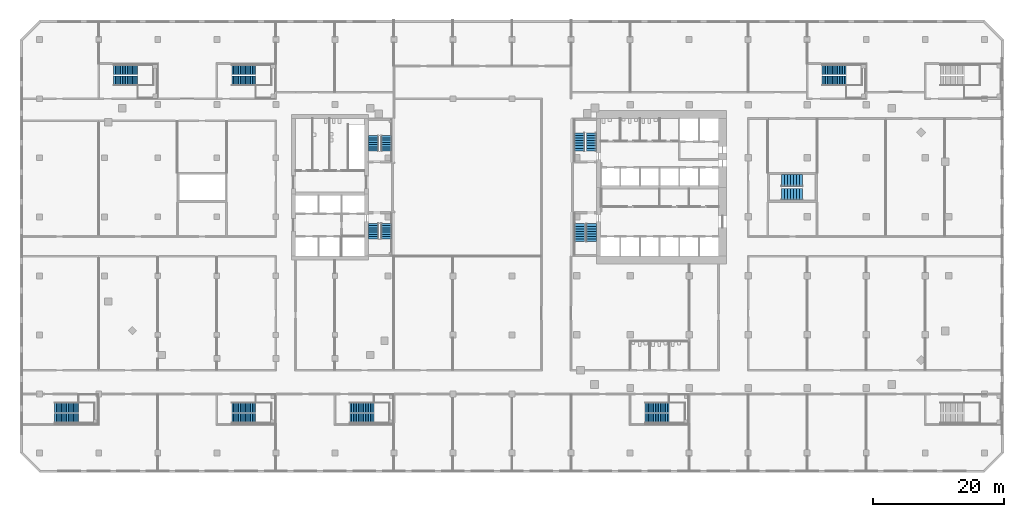
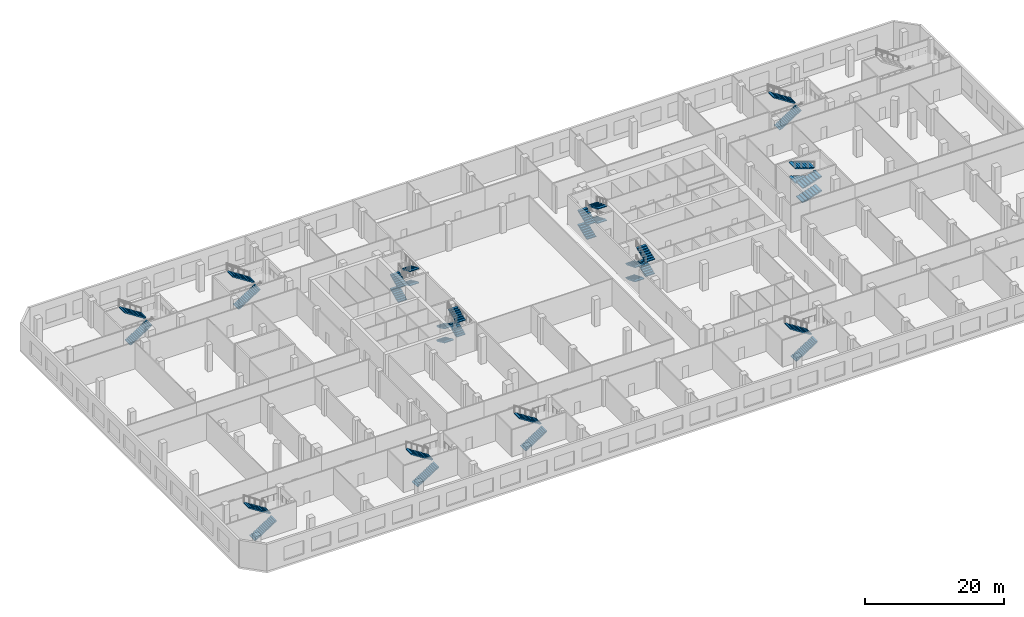
# One storey, part 15 of 21: 34 stair flights, 12 elements without a shape of their own.
"""IFC4 building model written with IfcOpenShell, lengths in metres."""

from ifc_helpers import new_model, si_unit, direction, frame, origin, place, context, subcontext, project, spatial, polyline, outline, extrude, material, type_object, element, aggregate, save


model = new_model("IFC4")

# Units and contexts
model_context = context("Model", 3, precision=1e-05, world=origin(), true_north=direction((0.0, 1.0)))
body_context = subcontext(model_context, "Body", "Model", "MODEL_VIEW")
ifc_project = project(units=[si_unit("LENGTHUNIT", "METRE"), si_unit("AREAUNIT", "SQUARE_METRE"), si_unit("VOLUMEUNIT", "CUBIC_METRE"), si_unit("PLANEANGLEUNIT", "RADIAN"), si_unit("MASSUNIT", "GRAM", prefix="KILO")], contexts=[model_context])

# Site, building, storey
site_placement = place(None, origin())
site = spatial("IfcSite", under=ifc_project, at=site_placement, CompositionType="ELEMENT")
building_placement = place(site_placement, origin())
building = spatial("IfcBuilding", under=site, at=building_placement, Name="Cinnabar Reach Civic Tower", CompositionType="ELEMENT")
storey_placement = place(building_placement, frame((0.0, 0.0, 11.0)))
storey = spatial("IfcBuildingStorey", under=building, at=storey_placement, Name="L02", CompositionType="ELEMENT", Elevation=11.0)

# Stair, stair flights
ifc_material_1 = material(Name="Concrete C35", Category="concrete")
stair_type_1 = type_object("IfcStairType", Name="Podium exit stair 1500", PredefinedType="HALF_TURN_STAIR", material=ifc_material_1)
stair_1_placement = place(storey_placement, origin())
stair_1 = element("IfcStair", 1, at=stair_1_placement, inside=storey, type_object=stair_type_1, Name="Stair PS1", PredefinedType="HALF_TURN_STAIR")
stair_flight_type_1 = type_object("IfcStairFlightType", Name="Podium exit stair flight 1500", PredefinedType="STRAIGHT", material=ifc_material_1)
stair_flight_1_placement = place(storey_placement, frame((-78.71, -3.75, 0.0), z_axis=(0.0, 0.0, 1.0), x_axis=(1.0, 0.0, 0.0)))
stair_flight_1 = element("IfcStairFlight", 2, at=stair_flight_1_placement, type_object=stair_flight_type_1, Name="PS1 flight 1", NumberOfRisers=15, NumberOfTreads=14, PredefinedType="STRAIGHT", RiserHeight=0.166666667, TreadLength=0.26, context=body_context, shape_type="SweptSolid", body=[
    extrude(outline(polyline([(0.0, 0.0), (0.0, 0.1667), (0.26, 0.1667), (0.26, 0.3333), (0.52, 0.3333), (0.52, 0.5), (0.78, 0.5), (0.78, 0.6667), (1.04, 0.6667), (1.04, 0.8333), (1.3, 0.8333), (1.3, 1.0), (1.56, 1.0), (1.56, 1.1667), (1.82, 1.1667), (1.82, 1.3333), (2.08, 1.3333), (2.08, 1.5), (2.34, 1.5), (2.34, 1.6667), (2.6, 1.6667), (2.6, 1.8333), (2.86, 1.8333), (2.86, 2.0), (3.12, 2.0), (3.12, 2.1667), (3.38, 2.1667), (3.38, 2.3333), (3.64, 2.3333), (3.64, 2.5), (3.64, 2.1552), (0.2779, 0.0), (0.0, 0.0)])), frame((0.0, 0.75, 0.0), z_axis=(0.0, -1.0, 0.0), x_axis=(1.0, 0.0, 0.0)), (0.0, 0.0, 1.0), 1.5),
])
stair_flight_2_placement = place(storey_placement, frame((-75.07, -2.05, 2.5), z_axis=(0.0, 0.0, 1.0), x_axis=(-1.0, 0.0, 0.0)))
stair_flight_2 = element("IfcStairFlight", 3, at=stair_flight_2_placement, type_object=stair_flight_type_1, Name="PS1 flight 2", NumberOfRisers=15, NumberOfTreads=14, PredefinedType="STRAIGHT", RiserHeight=0.166666667, TreadLength=0.26, context=body_context, shape_type="SweptSolid", body=[
    extrude(outline(polyline([(0.0, 0.0), (0.0, 0.1667), (0.26, 0.1667), (0.26, 0.3333), (0.52, 0.3333), (0.52, 0.5), (0.78, 0.5), (0.78, 0.6667), (1.04, 0.6667), (1.04, 0.8333), (1.3, 0.8333), (1.3, 1.0), (1.56, 1.0), (1.56, 1.1667), (1.82, 1.1667), (1.82, 1.3333), (2.08, 1.3333), (2.08, 1.5), (2.34, 1.5), (2.34, 1.6667), (2.6, 1.6667), (2.6, 1.8333), (2.86, 1.8333), (2.86, 2.0), (3.12, 2.0), (3.12, 2.1667), (3.38, 2.1667), (3.38, 2.3333), (3.64, 2.3333), (3.64, 2.5), (3.64, 2.1552), (0.2779, 0.0), (0.0, 0.0)])), frame((0.0, 0.75, 0.0), z_axis=(0.0, -1.0, 0.0), x_axis=(1.0, 0.0, 0.0)), (0.0, 0.0, 1.0), 1.5),
])
aggregate(stair_1, [stair_flight_1, stair_flight_2])

stair_2_placement = place(storey_placement, origin())
stair_2 = element("IfcStair", 4, at=stair_2_placement, inside=storey, type_object=stair_type_1, Name="Stair PS2", PredefinedType="HALF_TURN_STAIR")
stair_flight_3_placement = place(storey_placement, frame((-69.71, 47.75, 0.0), z_axis=(0.0, 0.0, 1.0), x_axis=(1.0, 0.0, 0.0)))
stair_flight_3 = element("IfcStairFlight", 5, at=stair_flight_3_placement, type_object=stair_flight_type_1, Name="PS2 flight 1", NumberOfRisers=15, NumberOfTreads=14, PredefinedType="STRAIGHT", RiserHeight=0.166666667, TreadLength=0.26, context=body_context, shape_type="SweptSolid", body=[
    extrude(outline(polyline([(0.0, 0.0), (0.0, 0.1667), (0.26, 0.1667), (0.26, 0.3333), (0.52, 0.3333), (0.52, 0.5), (0.78, 0.5), (0.78, 0.6667), (1.04, 0.6667), (1.04, 0.8333), (1.3, 0.8333), (1.3, 1.0), (1.56, 1.0), (1.56, 1.1667), (1.82, 1.1667), (1.82, 1.3333), (2.08, 1.3333), (2.08, 1.5), (2.34, 1.5), (2.34, 1.6667), (2.6, 1.6667), (2.6, 1.8333), (2.86, 1.8333), (2.86, 2.0), (3.12, 2.0), (3.12, 2.1667), (3.38, 2.1667), (3.38, 2.3333), (3.64, 2.3333), (3.64, 2.5), (3.64, 2.1552), (0.2779, 0.0), (0.0, 0.0)])), frame((0.0, 0.75, 0.0), z_axis=(0.0, -1.0, 0.0), x_axis=(1.0, 0.0, 0.0)), (0.0, 0.0, 1.0), 1.5),
])
stair_flight_4_placement = place(storey_placement, frame((-66.07, 49.45, 2.5), z_axis=(0.0, 0.0, 1.0), x_axis=(-1.0, 0.0, 0.0)))
stair_flight_4 = element("IfcStairFlight", 6, at=stair_flight_4_placement, type_object=stair_flight_type_1, Name="PS2 flight 2", NumberOfRisers=15, NumberOfTreads=14, PredefinedType="STRAIGHT", RiserHeight=0.166666667, TreadLength=0.26, context=body_context, shape_type="SweptSolid", body=[
    extrude(outline(polyline([(0.0, 0.0), (0.0, 0.1667), (0.26, 0.1667), (0.26, 0.3333), (0.52, 0.3333), (0.52, 0.5), (0.78, 0.5), (0.78, 0.6667), (1.04, 0.6667), (1.04, 0.8333), (1.3, 0.8333), (1.3, 1.0), (1.56, 1.0), (1.56, 1.1667), (1.82, 1.1667), (1.82, 1.3333), (2.08, 1.3333), (2.08, 1.5), (2.34, 1.5), (2.34, 1.6667), (2.6, 1.6667), (2.6, 1.8333), (2.86, 1.8333), (2.86, 2.0), (3.12, 2.0), (3.12, 2.1667), (3.38, 2.1667), (3.38, 2.3333), (3.64, 2.3333), (3.64, 2.5), (3.64, 2.1552), (0.2779, 0.0), (0.0, 0.0)])), frame((0.0, 0.75, 0.0), z_axis=(0.0, -1.0, 0.0), x_axis=(1.0, 0.0, 0.0)), (0.0, 0.0, 1.0), 1.5),
])
aggregate(stair_2, [stair_flight_3, stair_flight_4])

stair_3_placement = place(storey_placement, origin())
stair_3 = element("IfcStair", 7, at=stair_3_placement, inside=storey, type_object=stair_type_1, Name="Stair PS3", PredefinedType="HALF_TURN_STAIR")
stair_flight_5_placement = place(storey_placement, frame((11.29, -3.75, 0.0), z_axis=(0.0, 0.0, 1.0), x_axis=(1.0, 0.0, 0.0)))
stair_flight_5 = element("IfcStairFlight", 8, at=stair_flight_5_placement, type_object=stair_flight_type_1, Name="PS3 flight 1", NumberOfRisers=15, NumberOfTreads=14, PredefinedType="STRAIGHT", RiserHeight=0.166666667, TreadLength=0.26, context=body_context, shape_type="SweptSolid", body=[
    extrude(outline(polyline([(0.0, 0.0), (0.0, 0.1667), (0.26, 0.1667), (0.26, 0.3333), (0.52, 0.3333), (0.52, 0.5), (0.78, 0.5), (0.78, 0.6667), (1.04, 0.6667), (1.04, 0.8333), (1.3, 0.8333), (1.3, 1.0), (1.56, 1.0), (1.56, 1.1667), (1.82, 1.1667), (1.82, 1.3333), (2.08, 1.3333), (2.08, 1.5), (2.34, 1.5), (2.34, 1.6667), (2.6, 1.6667), (2.6, 1.8333), (2.86, 1.8333), (2.86, 2.0), (3.12, 2.0), (3.12, 2.1667), (3.38, 2.1667), (3.38, 2.3333), (3.64, 2.3333), (3.64, 2.5), (3.64, 2.1552), (0.2779, 0.0), (0.0, 0.0)])), frame((0.0, 0.75, 0.0), z_axis=(0.0, -1.0, 0.0), x_axis=(1.0, 0.0, 0.0)), (0.0, 0.0, 1.0), 1.5),
])
stair_flight_6_placement = place(storey_placement, frame((14.93, -2.05, 2.5), z_axis=(0.0, 0.0, 1.0), x_axis=(-1.0, 0.0, 0.0)))
stair_flight_6 = element("IfcStairFlight", 9, at=stair_flight_6_placement, type_object=stair_flight_type_1, Name="PS3 flight 2", NumberOfRisers=15, NumberOfTreads=14, PredefinedType="STRAIGHT", RiserHeight=0.166666667, TreadLength=0.26, context=body_context, shape_type="SweptSolid", body=[
    extrude(outline(polyline([(0.0, 0.0), (0.0, 0.1667), (0.26, 0.1667), (0.26, 0.3333), (0.52, 0.3333), (0.52, 0.5), (0.78, 0.5), (0.78, 0.6667), (1.04, 0.6667), (1.04, 0.8333), (1.3, 0.8333), (1.3, 1.0), (1.56, 1.0), (1.56, 1.1667), (1.82, 1.1667), (1.82, 1.3333), (2.08, 1.3333), (2.08, 1.5), (2.34, 1.5), (2.34, 1.6667), (2.6, 1.6667), (2.6, 1.8333), (2.86, 1.8333), (2.86, 2.0), (3.12, 2.0), (3.12, 2.1667), (3.38, 2.1667), (3.38, 2.3333), (3.64, 2.3333), (3.64, 2.5), (3.64, 2.1552), (0.2779, 0.0), (0.0, 0.0)])), frame((0.0, 0.75, 0.0), z_axis=(0.0, -1.0, 0.0), x_axis=(1.0, 0.0, 0.0)), (0.0, 0.0, 1.0), 1.5),
])
aggregate(stair_3, [stair_flight_5, stair_flight_6])

stair_4_placement = place(storey_placement, origin())
stair_4 = element("IfcStair", 10, at=stair_4_placement, inside=storey, type_object=stair_type_1, Name="Stair PS6", PredefinedType="HALF_TURN_STAIR")
stair_flight_7_placement = place(storey_placement, frame((38.29, 47.75, 0.0), z_axis=(0.0, 0.0, 1.0), x_axis=(1.0, 0.0, 0.0)))
stair_flight_7 = element("IfcStairFlight", 11, at=stair_flight_7_placement, type_object=stair_flight_type_1, Name="PS6 flight 1", NumberOfRisers=15, NumberOfTreads=14, PredefinedType="STRAIGHT", RiserHeight=0.166666667, TreadLength=0.26, context=body_context, shape_type="SweptSolid", body=[
    extrude(outline(polyline([(0.0, 0.0), (0.0, 0.1667), (0.26, 0.1667), (0.26, 0.3333), (0.52, 0.3333), (0.52, 0.5), (0.78, 0.5), (0.78, 0.6667), (1.04, 0.6667), (1.04, 0.8333), (1.3, 0.8333), (1.3, 1.0), (1.56, 1.0), (1.56, 1.1667), (1.82, 1.1667), (1.82, 1.3333), (2.08, 1.3333), (2.08, 1.5), (2.34, 1.5), (2.34, 1.6667), (2.6, 1.6667), (2.6, 1.8333), (2.86, 1.8333), (2.86, 2.0), (3.12, 2.0), (3.12, 2.1667), (3.38, 2.1667), (3.38, 2.3333), (3.64, 2.3333), (3.64, 2.5), (3.64, 2.1552), (0.2779, 0.0), (0.0, 0.0)])), frame((0.0, 0.75, 0.0), z_axis=(0.0, -1.0, 0.0), x_axis=(1.0, 0.0, 0.0)), (0.0, 0.0, 1.0), 1.5),
])
stair_flight_8_placement = place(storey_placement, frame((41.93, 49.45, 2.5), z_axis=(0.0, 0.0, 1.0), x_axis=(-1.0, 0.0, 0.0)))
stair_flight_8 = element("IfcStairFlight", 12, at=stair_flight_8_placement, type_object=stair_flight_type_1, Name="PS6 flight 2", NumberOfRisers=15, NumberOfTreads=14, PredefinedType="STRAIGHT", RiserHeight=0.166666667, TreadLength=0.26, context=body_context, shape_type="SweptSolid", body=[
    extrude(outline(polyline([(0.0, 0.0), (0.0, 0.1667), (0.26, 0.1667), (0.26, 0.3333), (0.52, 0.3333), (0.52, 0.5), (0.78, 0.5), (0.78, 0.6667), (1.04, 0.6667), (1.04, 0.8333), (1.3, 0.8333), (1.3, 1.0), (1.56, 1.0), (1.56, 1.1667), (1.82, 1.1667), (1.82, 1.3333), (2.08, 1.3333), (2.08, 1.5), (2.34, 1.5), (2.34, 1.6667), (2.6, 1.6667), (2.6, 1.8333), (2.86, 1.8333), (2.86, 2.0), (3.12, 2.0), (3.12, 2.1667), (3.38, 2.1667), (3.38, 2.3333), (3.64, 2.3333), (3.64, 2.5), (3.64, 2.1552), (0.2779, 0.0), (0.0, 0.0)])), frame((0.0, 0.75, 0.0), z_axis=(0.0, -1.0, 0.0), x_axis=(1.0, 0.0, 0.0)), (0.0, 0.0, 1.0), 1.5),
])
aggregate(stair_4, [stair_flight_7, stair_flight_8])

stair_5_placement = place(storey_placement, origin())
stair_5 = element("IfcStair", 13, at=stair_5_placement, inside=storey, type_object=stair_type_1, Name="Stair PS7", PredefinedType="HALF_TURN_STAIR")
stair_flight_9_placement = place(storey_placement, frame((-51.71, 47.75, 0.0), z_axis=(0.0, 0.0, 1.0), x_axis=(1.0, 0.0, 0.0)))
stair_flight_9 = element("IfcStairFlight", 14, at=stair_flight_9_placement, type_object=stair_flight_type_1, Name="PS7 flight 1", NumberOfRisers=15, NumberOfTreads=14, PredefinedType="STRAIGHT", RiserHeight=0.166666667, TreadLength=0.26, context=body_context, shape_type="SweptSolid", body=[
    extrude(outline(polyline([(0.0, 0.0), (0.0, 0.1667), (0.26, 0.1667), (0.26, 0.3333), (0.52, 0.3333), (0.52, 0.5), (0.78, 0.5), (0.78, 0.6667), (1.04, 0.6667), (1.04, 0.8333), (1.3, 0.8333), (1.3, 1.0), (1.56, 1.0), (1.56, 1.1667), (1.82, 1.1667), (1.82, 1.3333), (2.08, 1.3333), (2.08, 1.5), (2.34, 1.5), (2.34, 1.6667), (2.6, 1.6667), (2.6, 1.8333), (2.86, 1.8333), (2.86, 2.0), (3.12, 2.0), (3.12, 2.1667), (3.38, 2.1667), (3.38, 2.3333), (3.64, 2.3333), (3.64, 2.5), (3.64, 2.1552), (0.2779, 0.0), (0.0, 0.0)])), frame((0.0, 0.75, 0.0), z_axis=(0.0, -1.0, 0.0), x_axis=(1.0, 0.0, 0.0)), (0.0, 0.0, 1.0), 1.5),
])
stair_flight_10_placement = place(storey_placement, frame((-48.07, 49.45, 2.5), z_axis=(0.0, 0.0, 1.0), x_axis=(-1.0, 0.0, 0.0)))
stair_flight_10 = element("IfcStairFlight", 15, at=stair_flight_10_placement, type_object=stair_flight_type_1, Name="PS7 flight 2", NumberOfRisers=15, NumberOfTreads=14, PredefinedType="STRAIGHT", RiserHeight=0.166666667, TreadLength=0.26, context=body_context, shape_type="SweptSolid", body=[
    extrude(outline(polyline([(0.0, 0.0), (0.0, 0.1667), (0.26, 0.1667), (0.26, 0.3333), (0.52, 0.3333), (0.52, 0.5), (0.78, 0.5), (0.78, 0.6667), (1.04, 0.6667), (1.04, 0.8333), (1.3, 0.8333), (1.3, 1.0), (1.56, 1.0), (1.56, 1.1667), (1.82, 1.1667), (1.82, 1.3333), (2.08, 1.3333), (2.08, 1.5), (2.34, 1.5), (2.34, 1.6667), (2.6, 1.6667), (2.6, 1.8333), (2.86, 1.8333), (2.86, 2.0), (3.12, 2.0), (3.12, 2.1667), (3.38, 2.1667), (3.38, 2.3333), (3.64, 2.3333), (3.64, 2.5), (3.64, 2.1552), (0.2779, 0.0), (0.0, 0.0)])), frame((0.0, 0.75, 0.0), z_axis=(0.0, -1.0, 0.0), x_axis=(1.0, 0.0, 0.0)), (0.0, 0.0, 1.0), 1.5),
])
aggregate(stair_5, [stair_flight_9, stair_flight_10])

stair_6_placement = place(storey_placement, origin())
stair_6 = element("IfcStair", 16, at=stair_6_placement, inside=storey, type_object=stair_type_1, Name="Stair PS8", PredefinedType="HALF_TURN_STAIR")
stair_flight_11_placement = place(storey_placement, frame((-51.71, -3.75, 0.0), z_axis=(0.0, 0.0, 1.0), x_axis=(1.0, 0.0, 0.0)))
stair_flight_11 = element("IfcStairFlight", 17, at=stair_flight_11_placement, type_object=stair_flight_type_1, Name="PS8 flight 1", NumberOfRisers=15, NumberOfTreads=14, PredefinedType="STRAIGHT", RiserHeight=0.166666667, TreadLength=0.26, context=body_context, shape_type="SweptSolid", body=[
    extrude(outline(polyline([(0.0, 0.0), (0.0, 0.1667), (0.26, 0.1667), (0.26, 0.3333), (0.52, 0.3333), (0.52, 0.5), (0.78, 0.5), (0.78, 0.6667), (1.04, 0.6667), (1.04, 0.8333), (1.3, 0.8333), (1.3, 1.0), (1.56, 1.0), (1.56, 1.1667), (1.82, 1.1667), (1.82, 1.3333), (2.08, 1.3333), (2.08, 1.5), (2.34, 1.5), (2.34, 1.6667), (2.6, 1.6667), (2.6, 1.8333), (2.86, 1.8333), (2.86, 2.0), (3.12, 2.0), (3.12, 2.1667), (3.38, 2.1667), (3.38, 2.3333), (3.64, 2.3333), (3.64, 2.5), (3.64, 2.1552), (0.2779, 0.0), (0.0, 0.0)])), frame((0.0, 0.75, 0.0), z_axis=(0.0, -1.0, 0.0), x_axis=(1.0, 0.0, 0.0)), (0.0, 0.0, 1.0), 1.5),
])
stair_flight_12_placement = place(storey_placement, frame((-48.07, -2.05, 2.5), z_axis=(0.0, 0.0, 1.0), x_axis=(-1.0, 0.0, 0.0)))
stair_flight_12 = element("IfcStairFlight", 18, at=stair_flight_12_placement, type_object=stair_flight_type_1, Name="PS8 flight 2", NumberOfRisers=15, NumberOfTreads=14, PredefinedType="STRAIGHT", RiserHeight=0.166666667, TreadLength=0.26, context=body_context, shape_type="SweptSolid", body=[
    extrude(outline(polyline([(0.0, 0.0), (0.0, 0.1667), (0.26, 0.1667), (0.26, 0.3333), (0.52, 0.3333), (0.52, 0.5), (0.78, 0.5), (0.78, 0.6667), (1.04, 0.6667), (1.04, 0.8333), (1.3, 0.8333), (1.3, 1.0), (1.56, 1.0), (1.56, 1.1667), (1.82, 1.1667), (1.82, 1.3333), (2.08, 1.3333), (2.08, 1.5), (2.34, 1.5), (2.34, 1.6667), (2.6, 1.6667), (2.6, 1.8333), (2.86, 1.8333), (2.86, 2.0), (3.12, 2.0), (3.12, 2.1667), (3.38, 2.1667), (3.38, 2.3333), (3.64, 2.3333), (3.64, 2.5), (3.64, 2.1552), (0.2779, 0.0), (0.0, 0.0)])), frame((0.0, 0.75, 0.0), z_axis=(0.0, -1.0, 0.0), x_axis=(1.0, 0.0, 0.0)), (0.0, 0.0, 1.0), 1.5),
])
aggregate(stair_6, [stair_flight_11, stair_flight_12])

stair_7_placement = place(storey_placement, origin())
stair_7 = element("IfcStair", 19, at=stair_7_placement, inside=storey, type_object=stair_type_1, Name="Stair PS9", PredefinedType="HALF_TURN_STAIR")
stair_flight_13_placement = place(storey_placement, frame((-33.71, -3.75, 0.0), z_axis=(0.0, 0.0, 1.0), x_axis=(1.0, 0.0, 0.0)))
stair_flight_13 = element("IfcStairFlight", 20, at=stair_flight_13_placement, type_object=stair_flight_type_1, Name="PS9 flight 1", NumberOfRisers=15, NumberOfTreads=14, PredefinedType="STRAIGHT", RiserHeight=0.166666667, TreadLength=0.26, context=body_context, shape_type="SweptSolid", body=[
    extrude(outline(polyline([(0.0, 0.0), (0.0, 0.1667), (0.26, 0.1667), (0.26, 0.3333), (0.52, 0.3333), (0.52, 0.5), (0.78, 0.5), (0.78, 0.6667), (1.04, 0.6667), (1.04, 0.8333), (1.3, 0.8333), (1.3, 1.0), (1.56, 1.0), (1.56, 1.1667), (1.82, 1.1667), (1.82, 1.3333), (2.08, 1.3333), (2.08, 1.5), (2.34, 1.5), (2.34, 1.6667), (2.6, 1.6667), (2.6, 1.8333), (2.86, 1.8333), (2.86, 2.0), (3.12, 2.0), (3.12, 2.1667), (3.38, 2.1667), (3.38, 2.3333), (3.64, 2.3333), (3.64, 2.5), (3.64, 2.1552), (0.2779, 0.0), (0.0, 0.0)])), frame((0.0, 0.75, 0.0), z_axis=(0.0, -1.0, 0.0), x_axis=(1.0, 0.0, 0.0)), (0.0, 0.0, 1.0), 1.5),
])
stair_flight_14_placement = place(storey_placement, frame((-30.07, -2.05, 2.5), z_axis=(0.0, 0.0, 1.0), x_axis=(-1.0, 0.0, 0.0)))
stair_flight_14 = element("IfcStairFlight", 21, at=stair_flight_14_placement, type_object=stair_flight_type_1, Name="PS9 flight 2", NumberOfRisers=15, NumberOfTreads=14, PredefinedType="STRAIGHT", RiserHeight=0.166666667, TreadLength=0.26, context=body_context, shape_type="SweptSolid", body=[
    extrude(outline(polyline([(0.0, 0.0), (0.0, 0.1667), (0.26, 0.1667), (0.26, 0.3333), (0.52, 0.3333), (0.52, 0.5), (0.78, 0.5), (0.78, 0.6667), (1.04, 0.6667), (1.04, 0.8333), (1.3, 0.8333), (1.3, 1.0), (1.56, 1.0), (1.56, 1.1667), (1.82, 1.1667), (1.82, 1.3333), (2.08, 1.3333), (2.08, 1.5), (2.34, 1.5), (2.34, 1.6667), (2.6, 1.6667), (2.6, 1.8333), (2.86, 1.8333), (2.86, 2.0), (3.12, 2.0), (3.12, 2.1667), (3.38, 2.1667), (3.38, 2.3333), (3.64, 2.3333), (3.64, 2.5), (3.64, 2.1552), (0.2779, 0.0), (0.0, 0.0)])), frame((0.0, 0.75, 0.0), z_axis=(0.0, -1.0, 0.0), x_axis=(1.0, 0.0, 0.0)), (0.0, 0.0, 1.0), 1.5),
])
aggregate(stair_7, [stair_flight_13, stair_flight_14])

ifc_material_2 = material(Name="Concrete C40/50", Category="concrete")
stair_type_2 = type_object("IfcStairType", Name="T1 Exit stair, double return", PredefinedType="DOUBLE_RETURN_STAIR", material=ifc_material_2)
stair_8_placement = place(storey_placement, origin())
stair_8 = element("IfcStair", 22, at=stair_8_placement, inside=storey, type_object=stair_type_2, Name="Stair T1-S1", PredefinedType="DOUBLE_RETURN_STAIR")
stair_flight_type_2 = type_object("IfcStairFlightType", Name="T1 Stair flight, concrete", PredefinedType="STRAIGHT", material=ifc_material_2)
stair_flight_15_placement = place(storey_placement, frame((1.3125, 25.95, 0.0), z_axis=(0.0, 0.0, 1.0), x_axis=(0.0, -1.0, 0.0)))
stair_flight_15 = element("IfcStairFlight", 23, at=stair_flight_15_placement, type_object=stair_flight_type_2, Name="T1-S1 flight 1", NumberOfRisers=8, NumberOfTreads=7, PredefinedType="STRAIGHT", RiserHeight=0.15625, TreadLength=0.392142857, context=body_context, shape_type="SweptSolid", body=[
    extrude(outline(polyline([(0.0, 0.0), (0.0, 0.1562), (0.3921, 0.1562), (0.3921, 0.3125), (0.7843, 0.3125), (0.7843, 0.4688), (1.1764, 0.4688), (1.1764, 0.625), (1.5686, 0.625), (1.5686, 0.7812), (1.9607, 0.7812), (1.9607, 0.9375), (2.3529, 0.9375), (2.3529, 1.0938), (2.745, 1.0938), (2.745, 1.25), (2.745, 0.9323), (0.4052, 0.0), (0.0, 0.0)])), frame((0.0, 0.7625, 0.0), z_axis=(0.0, -1.0, 0.0), x_axis=(1.0, 0.0, 0.0)), (0.0, 0.0, 1.0), 1.525),
])
stair_flight_16_placement = place(storey_placement, frame((3.0875, 23.205, 1.25), z_axis=(0.0, 0.0, 1.0), x_axis=(0.0, 1.0, 0.0)))
stair_flight_16 = element("IfcStairFlight", 24, at=stair_flight_16_placement, type_object=stair_flight_type_2, Name="T1-S1 flight 2", NumberOfRisers=8, NumberOfTreads=7, PredefinedType="STRAIGHT", RiserHeight=0.15625, TreadLength=0.392142857, context=body_context, shape_type="SweptSolid", body=[
    extrude(outline(polyline([(0.0, 0.0), (0.0, 0.1562), (0.3921, 0.1562), (0.3921, 0.3125), (0.7843, 0.3125), (0.7843, 0.4688), (1.1764, 0.4688), (1.1764, 0.625), (1.5686, 0.625), (1.5686, 0.7812), (1.9607, 0.7812), (1.9607, 0.9375), (2.3529, 0.9375), (2.3529, 1.0938), (2.745, 1.0938), (2.745, 1.25), (2.745, 0.9323), (0.4052, 0.0), (0.0, 0.0)])), frame((0.0, 0.7625, 0.0), z_axis=(0.0, -1.0, 0.0), x_axis=(1.0, 0.0, 0.0)), (0.0, 0.0, 1.0), 1.525),
])
stair_flight_17_placement = place(storey_placement, frame((1.3125, 25.95, 2.5), z_axis=(0.0, 0.0, 1.0), x_axis=(0.0, -1.0, 0.0)))
stair_flight_17 = element("IfcStairFlight", 25, at=stair_flight_17_placement, type_object=stair_flight_type_2, Name="T1-S1 flight 3", NumberOfRisers=8, NumberOfTreads=7, PredefinedType="STRAIGHT", RiserHeight=0.15625, TreadLength=0.392142857, context=body_context, shape_type="SweptSolid", body=[
    extrude(outline(polyline([(0.0, 0.0), (0.0, 0.1562), (0.3921, 0.1562), (0.3921, 0.3125), (0.7843, 0.3125), (0.7843, 0.4688), (1.1764, 0.4688), (1.1764, 0.625), (1.5686, 0.625), (1.5686, 0.7812), (1.9607, 0.7812), (1.9607, 0.9375), (2.3529, 0.9375), (2.3529, 1.0938), (2.745, 1.0938), (2.745, 1.25), (2.745, 0.9323), (0.4052, 0.0), (0.0, 0.0)])), frame((0.0, 0.7625, 0.0), z_axis=(0.0, -1.0, 0.0), x_axis=(1.0, 0.0, 0.0)), (0.0, 0.0, 1.0), 1.525),
])
stair_flight_18_placement = place(storey_placement, frame((3.0875, 23.205, 3.75), z_axis=(0.0, 0.0, 1.0), x_axis=(0.0, 1.0, 0.0)))
stair_flight_18 = element("IfcStairFlight", 26, at=stair_flight_18_placement, type_object=stair_flight_type_2, Name="T1-S1 flight 4", NumberOfRisers=8, NumberOfTreads=7, PredefinedType="STRAIGHT", RiserHeight=0.15625, TreadLength=0.392142857, context=body_context, shape_type="SweptSolid", body=[
    extrude(outline(polyline([(0.0, 0.0), (0.0, 0.1562), (0.3921, 0.1562), (0.3921, 0.3125), (0.7843, 0.3125), (0.7843, 0.4688), (1.1764, 0.4688), (1.1764, 0.625), (1.5686, 0.625), (1.5686, 0.7812), (1.9607, 0.7812), (1.9607, 0.9375), (2.3529, 0.9375), (2.3529, 1.0938), (2.745, 1.0938), (2.745, 1.25), (2.745, 0.9323), (0.4052, 0.0), (0.0, 0.0)])), frame((0.0, 0.7625, 0.0), z_axis=(0.0, -1.0, 0.0), x_axis=(1.0, 0.0, 0.0)), (0.0, 0.0, 1.0), 1.525),
])
aggregate(stair_8, [stair_flight_15, stair_flight_16, stair_flight_17, stair_flight_18])

stair_9_placement = place(storey_placement, origin())
stair_9 = element("IfcStair", 27, at=stair_9_placement, inside=storey, type_object=stair_type_2, Name="Stair T1-S2", PredefinedType="DOUBLE_RETURN_STAIR")
stair_flight_19_placement = place(storey_placement, frame((1.3125, 37.05, 0.0), z_axis=(0.0, 0.0, 1.0), x_axis=(0.0, 1.0, 0.0)))
stair_flight_19 = element("IfcStairFlight", 28, at=stair_flight_19_placement, type_object=stair_flight_type_2, Name="T1-S2 flight 1", NumberOfRisers=8, NumberOfTreads=7, PredefinedType="STRAIGHT", RiserHeight=0.15625, TreadLength=0.392142857, context=body_context, shape_type="SweptSolid", body=[
    extrude(outline(polyline([(0.0, 0.0), (0.0, 0.1562), (0.3921, 0.1562), (0.3921, 0.3125), (0.7843, 0.3125), (0.7843, 0.4688), (1.1764, 0.4688), (1.1764, 0.625), (1.5686, 0.625), (1.5686, 0.7812), (1.9607, 0.7812), (1.9607, 0.9375), (2.3529, 0.9375), (2.3529, 1.0938), (2.745, 1.0938), (2.745, 1.25), (2.745, 0.9323), (0.4052, 0.0), (0.0, 0.0)])), frame((0.0, 0.7625, 0.0), z_axis=(0.0, -1.0, 0.0), x_axis=(1.0, 0.0, 0.0)), (0.0, 0.0, 1.0), 1.525),
])
stair_flight_20_placement = place(storey_placement, frame((3.0875, 39.795, 1.25), z_axis=(0.0, 0.0, 1.0), x_axis=(0.0, -1.0, 0.0)))
stair_flight_20 = element("IfcStairFlight", 29, at=stair_flight_20_placement, type_object=stair_flight_type_2, Name="T1-S2 flight 2", NumberOfRisers=8, NumberOfTreads=7, PredefinedType="STRAIGHT", RiserHeight=0.15625, TreadLength=0.392142857, context=body_context, shape_type="SweptSolid", body=[
    extrude(outline(polyline([(0.0, 0.0), (0.0, 0.1562), (0.3921, 0.1562), (0.3921, 0.3125), (0.7843, 0.3125), (0.7843, 0.4688), (1.1764, 0.4688), (1.1764, 0.625), (1.5686, 0.625), (1.5686, 0.7812), (1.9607, 0.7812), (1.9607, 0.9375), (2.3529, 0.9375), (2.3529, 1.0938), (2.745, 1.0938), (2.745, 1.25), (2.745, 0.9323), (0.4052, 0.0), (0.0, 0.0)])), frame((0.0, 0.7625, 0.0), z_axis=(0.0, -1.0, 0.0), x_axis=(1.0, 0.0, 0.0)), (0.0, 0.0, 1.0), 1.525),
])
stair_flight_21_placement = place(storey_placement, frame((1.3125, 37.05, 2.5), z_axis=(0.0, 0.0, 1.0), x_axis=(0.0, 1.0, 0.0)))
stair_flight_21 = element("IfcStairFlight", 30, at=stair_flight_21_placement, type_object=stair_flight_type_2, Name="T1-S2 flight 3", NumberOfRisers=8, NumberOfTreads=7, PredefinedType="STRAIGHT", RiserHeight=0.15625, TreadLength=0.392142857, context=body_context, shape_type="SweptSolid", body=[
    extrude(outline(polyline([(0.0, 0.0), (0.0, 0.1562), (0.3921, 0.1562), (0.3921, 0.3125), (0.7843, 0.3125), (0.7843, 0.4688), (1.1764, 0.4688), (1.1764, 0.625), (1.5686, 0.625), (1.5686, 0.7812), (1.9607, 0.7812), (1.9607, 0.9375), (2.3529, 0.9375), (2.3529, 1.0938), (2.745, 1.0938), (2.745, 1.25), (2.745, 0.9323), (0.4052, 0.0), (0.0, 0.0)])), frame((0.0, 0.7625, 0.0), z_axis=(0.0, -1.0, 0.0), x_axis=(1.0, 0.0, 0.0)), (0.0, 0.0, 1.0), 1.525),
])
stair_flight_22_placement = place(storey_placement, frame((3.0875, 39.795, 3.75), z_axis=(0.0, 0.0, 1.0), x_axis=(0.0, -1.0, 0.0)))
stair_flight_22 = element("IfcStairFlight", 31, at=stair_flight_22_placement, type_object=stair_flight_type_2, Name="T1-S2 flight 4", NumberOfRisers=8, NumberOfTreads=7, PredefinedType="STRAIGHT", RiserHeight=0.15625, TreadLength=0.392142857, context=body_context, shape_type="SweptSolid", body=[
    extrude(outline(polyline([(0.0, 0.0), (0.0, 0.1562), (0.3921, 0.1562), (0.3921, 0.3125), (0.7843, 0.3125), (0.7843, 0.4688), (1.1764, 0.4688), (1.1764, 0.625), (1.5686, 0.625), (1.5686, 0.7812), (1.9607, 0.7812), (1.9607, 0.9375), (2.3529, 0.9375), (2.3529, 1.0938), (2.745, 1.0938), (2.745, 1.25), (2.745, 0.9323), (0.4052, 0.0), (0.0, 0.0)])), frame((0.0, 0.7625, 0.0), z_axis=(0.0, -1.0, 0.0), x_axis=(1.0, 0.0, 0.0)), (0.0, 0.0, 1.0), 1.525),
])
aggregate(stair_9, [stair_flight_19, stair_flight_20, stair_flight_21, stair_flight_22])

stair_10_placement = place(storey_placement, origin())
stair_10 = element("IfcStair", 32, at=stair_10_placement, inside=storey, type_object=stair_type_2, Name="Stair T1-S3", PredefinedType="DOUBLE_RETURN_STAIR")
stair_flight_23_placement = place(storey_placement, frame((32.05, 30.45, 0.0), z_axis=(0.0, 0.0, 1.0), x_axis=(1.0, 0.0, 0.0)))
stair_flight_23 = element("IfcStairFlight", 33, at=stair_flight_23_placement, type_object=stair_flight_type_2, Name="T1-S3 flight 1", NumberOfRisers=8, NumberOfTreads=7, PredefinedType="STRAIGHT", RiserHeight=0.15625, TreadLength=0.462857143, context=body_context, shape_type="SweptSolid", body=[
    extrude(outline(polyline([(0.0, 0.0), (0.0, 0.1562), (0.4629, 0.1562), (0.4629, 0.3125), (0.9257, 0.3125), (0.9257, 0.4688), (1.3886, 0.4688), (1.3886, 0.625), (1.8514, 0.625), (1.8514, 0.7812), (2.3143, 0.7812), (2.3143, 0.9375), (2.7771, 0.9375), (2.7771, 1.0938), (3.24, 1.0938), (3.24, 1.25), (3.24, 0.9354), (0.469, 0.0), (0.0, 0.0)])), frame((0.0, 0.9, 0.0), z_axis=(0.0, -1.0, 0.0), x_axis=(1.0, 0.0, 0.0)), (0.0, 0.0, 1.0), 1.8),
])
stair_flight_24_placement = place(storey_placement, frame((35.29, 32.55, 1.25), z_axis=(0.0, 0.0, 1.0), x_axis=(-1.0, 0.0, 0.0)))
stair_flight_24 = element("IfcStairFlight", 34, at=stair_flight_24_placement, type_object=stair_flight_type_2, Name="T1-S3 flight 2", NumberOfRisers=8, NumberOfTreads=7, PredefinedType="STRAIGHT", RiserHeight=0.15625, TreadLength=0.462857143, context=body_context, shape_type="SweptSolid", body=[
    extrude(outline(polyline([(0.0, 0.0), (0.0, 0.1562), (0.4629, 0.1562), (0.4629, 0.3125), (0.9257, 0.3125), (0.9257, 0.4688), (1.3886, 0.4688), (1.3886, 0.625), (1.8514, 0.625), (1.8514, 0.7812), (2.3143, 0.7812), (2.3143, 0.9375), (2.7771, 0.9375), (2.7771, 1.0938), (3.24, 1.0938), (3.24, 1.25), (3.24, 0.9354), (0.469, 0.0), (0.0, 0.0)])), frame((0.0, 0.9, 0.0), z_axis=(0.0, -1.0, 0.0), x_axis=(1.0, 0.0, 0.0)), (0.0, 0.0, 1.0), 1.8),
])
stair_flight_25_placement = place(storey_placement, frame((32.05, 30.45, 2.5), z_axis=(0.0, 0.0, 1.0), x_axis=(1.0, 0.0, 0.0)))
stair_flight_25 = element("IfcStairFlight", 35, at=stair_flight_25_placement, type_object=stair_flight_type_2, Name="T1-S3 flight 3", NumberOfRisers=8, NumberOfTreads=7, PredefinedType="STRAIGHT", RiserHeight=0.15625, TreadLength=0.462857143, context=body_context, shape_type="SweptSolid", body=[
    extrude(outline(polyline([(0.0, 0.0), (0.0, 0.1562), (0.4629, 0.1562), (0.4629, 0.3125), (0.9257, 0.3125), (0.9257, 0.4688), (1.3886, 0.4688), (1.3886, 0.625), (1.8514, 0.625), (1.8514, 0.7812), (2.3143, 0.7812), (2.3143, 0.9375), (2.7771, 0.9375), (2.7771, 1.0938), (3.24, 1.0938), (3.24, 1.25), (3.24, 0.9354), (0.469, 0.0), (0.0, 0.0)])), frame((0.0, 0.9, 0.0), z_axis=(0.0, -1.0, 0.0), x_axis=(1.0, 0.0, 0.0)), (0.0, 0.0, 1.0), 1.8),
])
stair_flight_26_placement = place(storey_placement, frame((35.29, 32.55, 3.75), z_axis=(0.0, 0.0, 1.0), x_axis=(-1.0, 0.0, 0.0)))
stair_flight_26 = element("IfcStairFlight", 36, at=stair_flight_26_placement, type_object=stair_flight_type_2, Name="T1-S3 flight 4", NumberOfRisers=8, NumberOfTreads=7, PredefinedType="STRAIGHT", RiserHeight=0.15625, TreadLength=0.462857143, context=body_context, shape_type="SweptSolid", body=[
    extrude(outline(polyline([(0.0, 0.0), (0.0, 0.1562), (0.4629, 0.1562), (0.4629, 0.3125), (0.9257, 0.3125), (0.9257, 0.4688), (1.3886, 0.4688), (1.3886, 0.625), (1.8514, 0.625), (1.8514, 0.7812), (2.3143, 0.7812), (2.3143, 0.9375), (2.7771, 0.9375), (2.7771, 1.0938), (3.24, 1.0938), (3.24, 1.25), (3.24, 0.9354), (0.469, 0.0), (0.0, 0.0)])), frame((0.0, 0.9, 0.0), z_axis=(0.0, -1.0, 0.0), x_axis=(1.0, 0.0, 0.0)), (0.0, 0.0, 1.0), 1.8),
])
aggregate(stair_10, [stair_flight_23, stair_flight_24, stair_flight_25, stair_flight_26])

ifc_material_3 = material(Name="Concrete C40", Category="concrete")
stair_type_3 = type_object("IfcStairType", Name="T2 Exit stair 1500", PredefinedType="HALF_TURN_STAIR", material=ifc_material_3)
stair_11_placement = place(storey_placement, origin())
stair_11 = element("IfcStair", 37, at=stair_11_placement, inside=storey, type_object=stair_type_3, Name="Exit stair 1", PredefinedType="HALF_TURN_STAIR")
stair_flight_type_3 = type_object("IfcStairFlightType", Name="T2 Stair flight 1500", PredefinedType="STRAIGHT", material=ifc_material_3)
stair_flight_27_placement = place(storey_placement, frame((-30.15, 26.0, 0.0), z_axis=(0.0, 0.0, 1.0), x_axis=(0.0, -1.0, 0.0)))
stair_flight_27 = element("IfcStairFlight", 38, at=stair_flight_27_placement, type_object=stair_flight_type_3, Name="ST1 flight 1", NumberOfRisers=8, NumberOfTreads=7, PredefinedType="STRAIGHT", RiserHeight=0.15625, TreadLength=0.3375, context=body_context, shape_type="SweptSolid", body=[
    extrude(outline(polyline([(0.0, 0.0), (0.0, 0.1562), (0.3375, 0.1562), (0.3375, 0.3125), (0.675, 0.3125), (0.675, 0.4688), (1.0125, 0.4688), (1.0125, 0.625), (1.35, 0.625), (1.35, 0.7812), (1.6875, 0.7812), (1.6875, 0.9375), (2.025, 0.9375), (2.025, 1.0938), (2.3625, 1.0938), (2.3625, 1.25), (2.3625, 0.9285), (0.357, 0.0), (0.0, 0.0)])), frame((0.0, 0.75, 0.0), z_axis=(0.0, -1.0, 0.0), x_axis=(1.0, 0.0, 0.0)), (0.0, 0.0, 1.0), 1.5),
])
stair_flight_28_placement = place(storey_placement, frame((-28.15, 23.6375, 1.25), z_axis=(0.0, 0.0, 1.0), x_axis=(0.0, 1.0, 0.0)))
stair_flight_28 = element("IfcStairFlight", 39, at=stair_flight_28_placement, type_object=stair_flight_type_3, Name="ST1 flight 2", NumberOfRisers=8, NumberOfTreads=7, PredefinedType="STRAIGHT", RiserHeight=0.15625, TreadLength=0.3375, context=body_context, shape_type="SweptSolid", body=[
    extrude(outline(polyline([(0.0, 0.0), (0.0, 0.1562), (0.3375, 0.1562), (0.3375, 0.3125), (0.675, 0.3125), (0.675, 0.4688), (1.0125, 0.4688), (1.0125, 0.625), (1.35, 0.625), (1.35, 0.7812), (1.6875, 0.7812), (1.6875, 0.9375), (2.025, 0.9375), (2.025, 1.0938), (2.3625, 1.0938), (2.3625, 1.25), (2.3625, 0.9285), (0.357, 0.0), (0.0, 0.0)])), frame((0.0, 0.75, 0.0), z_axis=(0.0, -1.0, 0.0), x_axis=(1.0, 0.0, 0.0)), (0.0, 0.0, 1.0), 1.5),
])
stair_flight_29_placement = place(storey_placement, frame((-30.15, 26.0, 2.5), z_axis=(0.0, 0.0, 1.0), x_axis=(0.0, -1.0, 0.0)))
stair_flight_29 = element("IfcStairFlight", 40, at=stair_flight_29_placement, type_object=stair_flight_type_3, Name="ST1 flight 3", NumberOfRisers=8, NumberOfTreads=7, PredefinedType="STRAIGHT", RiserHeight=0.15625, TreadLength=0.3375, context=body_context, shape_type="SweptSolid", body=[
    extrude(outline(polyline([(0.0, 0.0), (0.0, 0.1562), (0.3375, 0.1562), (0.3375, 0.3125), (0.675, 0.3125), (0.675, 0.4688), (1.0125, 0.4688), (1.0125, 0.625), (1.35, 0.625), (1.35, 0.7812), (1.6875, 0.7812), (1.6875, 0.9375), (2.025, 0.9375), (2.025, 1.0938), (2.3625, 1.0938), (2.3625, 1.25), (2.3625, 0.9285), (0.357, 0.0), (0.0, 0.0)])), frame((0.0, 0.75, 0.0), z_axis=(0.0, -1.0, 0.0), x_axis=(1.0, 0.0, 0.0)), (0.0, 0.0, 1.0), 1.5),
])
stair_flight_30_placement = place(storey_placement, frame((-28.15, 23.6375, 3.75), z_axis=(0.0, 0.0, 1.0), x_axis=(0.0, 1.0, 0.0)))
stair_flight_30 = element("IfcStairFlight", 41, at=stair_flight_30_placement, type_object=stair_flight_type_3, Name="ST1 flight 4", NumberOfRisers=8, NumberOfTreads=7, PredefinedType="STRAIGHT", RiserHeight=0.15625, TreadLength=0.3375, context=body_context, shape_type="SweptSolid", body=[
    extrude(outline(polyline([(0.0, 0.0), (0.0, 0.1562), (0.3375, 0.1562), (0.3375, 0.3125), (0.675, 0.3125), (0.675, 0.4688), (1.0125, 0.4688), (1.0125, 0.625), (1.35, 0.625), (1.35, 0.7812), (1.6875, 0.7812), (1.6875, 0.9375), (2.025, 0.9375), (2.025, 1.0938), (2.3625, 1.0938), (2.3625, 1.25), (2.3625, 0.9285), (0.357, 0.0), (0.0, 0.0)])), frame((0.0, 0.75, 0.0), z_axis=(0.0, -1.0, 0.0), x_axis=(1.0, 0.0, 0.0)), (0.0, 0.0, 1.0), 1.5),
])
aggregate(stair_11, [stair_flight_27, stair_flight_28, stair_flight_29, stair_flight_30])

stair_12_placement = place(storey_placement, origin())
stair_12 = element("IfcStair", 42, at=stair_12_placement, inside=storey, type_object=stair_type_3, Name="Exit stair 2", PredefinedType="HALF_TURN_STAIR")
stair_flight_31_placement = place(storey_placement, frame((-30.15, 37.0, 0.0), z_axis=(0.0, 0.0, 1.0), x_axis=(0.0, 1.0, 0.0)))
stair_flight_31 = element("IfcStairFlight", 43, at=stair_flight_31_placement, type_object=stair_flight_type_3, Name="ST2 flight 1", NumberOfRisers=8, NumberOfTreads=7, PredefinedType="STRAIGHT", RiserHeight=0.15625, TreadLength=0.3375, context=body_context, shape_type="SweptSolid", body=[
    extrude(outline(polyline([(0.0, 0.0), (0.0, 0.1562), (0.3375, 0.1562), (0.3375, 0.3125), (0.675, 0.3125), (0.675, 0.4688), (1.0125, 0.4688), (1.0125, 0.625), (1.35, 0.625), (1.35, 0.7812), (1.6875, 0.7812), (1.6875, 0.9375), (2.025, 0.9375), (2.025, 1.0938), (2.3625, 1.0938), (2.3625, 1.25), (2.3625, 0.9285), (0.357, 0.0), (0.0, 0.0)])), frame((0.0, 0.75, 0.0), z_axis=(0.0, -1.0, 0.0), x_axis=(1.0, 0.0, 0.0)), (0.0, 0.0, 1.0), 1.5),
])
stair_flight_32_placement = place(storey_placement, frame((-28.15, 39.3625, 1.25), z_axis=(0.0, 0.0, 1.0), x_axis=(0.0, -1.0, 0.0)))
stair_flight_32 = element("IfcStairFlight", 44, at=stair_flight_32_placement, type_object=stair_flight_type_3, Name="ST2 flight 2", NumberOfRisers=8, NumberOfTreads=7, PredefinedType="STRAIGHT", RiserHeight=0.15625, TreadLength=0.3375, context=body_context, shape_type="SweptSolid", body=[
    extrude(outline(polyline([(0.0, 0.0), (0.0, 0.1562), (0.3375, 0.1562), (0.3375, 0.3125), (0.675, 0.3125), (0.675, 0.4688), (1.0125, 0.4688), (1.0125, 0.625), (1.35, 0.625), (1.35, 0.7812), (1.6875, 0.7812), (1.6875, 0.9375), (2.025, 0.9375), (2.025, 1.0938), (2.3625, 1.0938), (2.3625, 1.25), (2.3625, 0.9285), (0.357, 0.0), (0.0, 0.0)])), frame((0.0, 0.75, 0.0), z_axis=(0.0, -1.0, 0.0), x_axis=(1.0, 0.0, 0.0)), (0.0, 0.0, 1.0), 1.5),
])
stair_flight_33_placement = place(storey_placement, frame((-30.15, 37.0, 2.5), z_axis=(0.0, 0.0, 1.0), x_axis=(0.0, 1.0, 0.0)))
stair_flight_33 = element("IfcStairFlight", 45, at=stair_flight_33_placement, type_object=stair_flight_type_3, Name="ST2 flight 3", NumberOfRisers=8, NumberOfTreads=7, PredefinedType="STRAIGHT", RiserHeight=0.15625, TreadLength=0.3375, context=body_context, shape_type="SweptSolid", body=[
    extrude(outline(polyline([(0.0, 0.0), (0.0, 0.1562), (0.3375, 0.1562), (0.3375, 0.3125), (0.675, 0.3125), (0.675, 0.4688), (1.0125, 0.4688), (1.0125, 0.625), (1.35, 0.625), (1.35, 0.7812), (1.6875, 0.7812), (1.6875, 0.9375), (2.025, 0.9375), (2.025, 1.0938), (2.3625, 1.0938), (2.3625, 1.25), (2.3625, 0.9285), (0.357, 0.0), (0.0, 0.0)])), frame((0.0, 0.75, 0.0), z_axis=(0.0, -1.0, 0.0), x_axis=(1.0, 0.0, 0.0)), (0.0, 0.0, 1.0), 1.5),
])
stair_flight_34_placement = place(storey_placement, frame((-28.15, 39.3625, 3.75), z_axis=(0.0, 0.0, 1.0), x_axis=(0.0, -1.0, 0.0)))
stair_flight_34 = element("IfcStairFlight", 46, at=stair_flight_34_placement, type_object=stair_flight_type_3, Name="ST2 flight 4", NumberOfRisers=8, NumberOfTreads=7, PredefinedType="STRAIGHT", RiserHeight=0.15625, TreadLength=0.3375, context=body_context, shape_type="SweptSolid", body=[
    extrude(outline(polyline([(0.0, 0.0), (0.0, 0.1562), (0.3375, 0.1562), (0.3375, 0.3125), (0.675, 0.3125), (0.675, 0.4688), (1.0125, 0.4688), (1.0125, 0.625), (1.35, 0.625), (1.35, 0.7812), (1.6875, 0.7812), (1.6875, 0.9375), (2.025, 0.9375), (2.025, 1.0938), (2.3625, 1.0938), (2.3625, 1.25), (2.3625, 0.9285), (0.357, 0.0), (0.0, 0.0)])), frame((0.0, 0.75, 0.0), z_axis=(0.0, -1.0, 0.0), x_axis=(1.0, 0.0, 0.0)), (0.0, 0.0, 1.0), 1.5),
])
aggregate(stair_12, [stair_flight_31, stair_flight_32, stair_flight_33, stair_flight_34])

save(model, "model.ifc")
